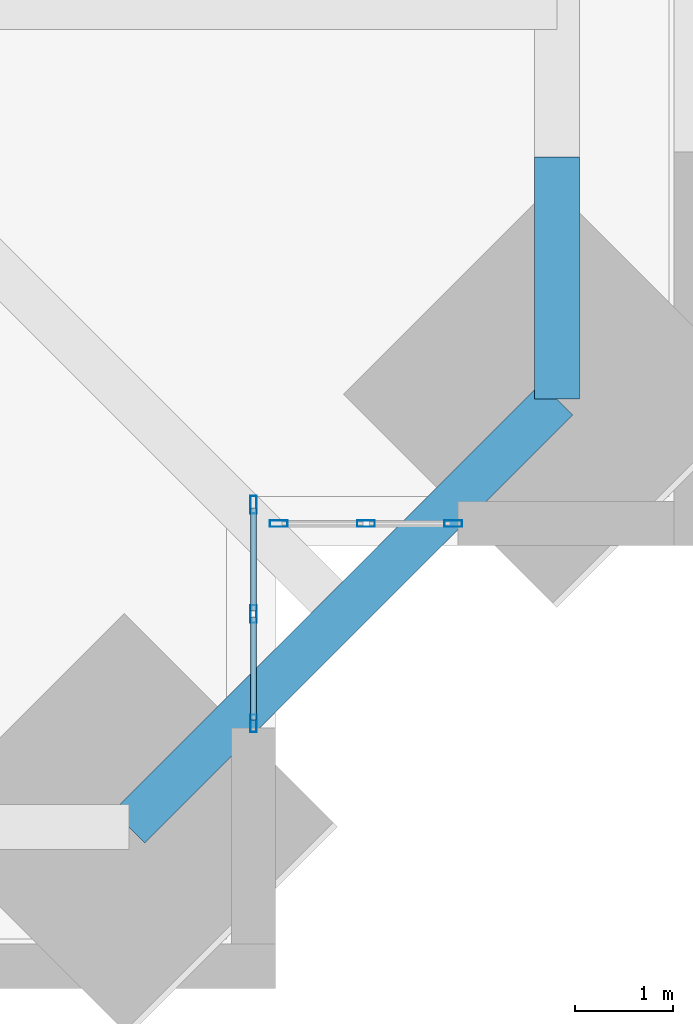
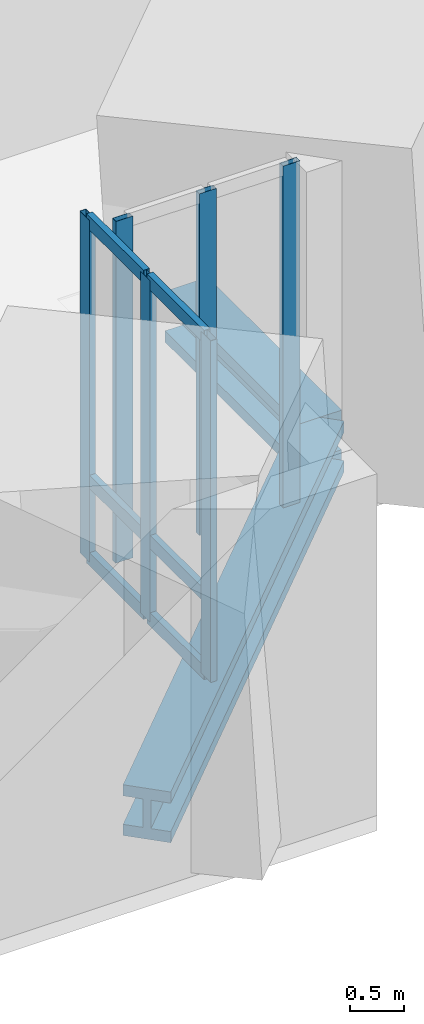
# One storey, part 4 of 15: 13 members, 1 beam, 2 elements without a shape of their own.
"""IFC4 building model written with IfcOpenShell, lengths in metres."""

from ifc_helpers import new_model, si_unit, direction, frame, origin, origin_2d, place, context, subcontext, project, spatial, hollow_rectangle, i_section, extrude, material, material_profile, profile_set, type_object, element, aggregate, save


model = new_model("IFC4")

# Units and contexts
model_context = context("Model", 3, precision=1e-05, world=origin(), true_north=direction((0.0, 1.0)))
body_context = subcontext(model_context, "Body", "Model", "MODEL_VIEW")
ifc_project = project(units=[si_unit("LENGTHUNIT", "METRE"), si_unit("AREAUNIT", "SQUARE_METRE"), si_unit("VOLUMEUNIT", "CUBIC_METRE"), si_unit("PLANEANGLEUNIT", "RADIAN"), si_unit("MASSUNIT", "GRAM", prefix="KILO")], contexts=[model_context])

# Site, building, storey
site_placement = place(None, origin())
site = spatial("IfcSite", under=ifc_project, at=site_placement, CompositionType="ELEMENT")
building_placement = place(site_placement, origin())
building = spatial("IfcBuilding", under=site, at=building_placement, Name="Peilmerk Tower", CompositionType="ELEMENT")
storey_placement = place(building_placement, frame((0.0, 0.0, 201.800048828125)))
storey = spatial("IfcBuildingStorey", under=building, at=storey_placement, Name="L43", CompositionType="ELEMENT", Elevation=201.800048828125)

# Beam
ifc_material_1 = material(Name="Steel S460", Category="steel")
ifc_material_profile_1 = material_profile(ifc_material_1, i_section(OverallWidth=0.4541015625, OverallDepth=0.569091796875, WebThickness=0.077880859375, FlangeThickness=0.125, at=origin_2d()), Name="HD 400x1086")
ifc_profile_set_1 = profile_set([ifc_material_profile_1], Name="Steel S460")
beam_type = type_object("IfcBeamType", Name="B17 HD 400x1086 edge beam", PredefinedType="SPANDREL", material=ifc_profile_set_1)
beam_placement = place(storey_placement, frame((22.759765625, -18.40966796875, -0.45458984375), z_axis=(-0.707106781187, -0.707106781187, 0.0), x_axis=(0.707106781187, -0.707106781187, 0.0)))
element("IfcBeam", 1, at=beam_placement, inside=storey, type_object=beam_type, Name="Notch beam L43", PredefinedType="SPANDREL", context=body_context, shape_type="SweptSolid", body=[
    extrude(i_section(OverallWidth=0.4541015625, OverallDepth=0.569091796875, WebThickness=0.077880859375, FlangeThickness=0.125, at=origin_2d()), origin(), (0.0, 0.0, 1.0), 6.15185546875),
])

# Curtain wall, members
ifc_material_2 = material(Name="Aluminium stick curtain wall", Category="aluminium")
curtain_wall_type = type_object("IfcCurtainWallType", Name="CW4 stick curtain wall, 2250 module", PredefinedType="NOTDEFINED", material=ifc_material_2)
curtain_wall_1_placement = place(storey_placement, origin())
curtain_wall_1 = element("IfcCurtainWall", 2, at=curtain_wall_1_placement, inside=storey, type_object=curtain_wall_type, Name="Curtain wall CW4 SEA L43", PredefinedType="NOTDEFINED")
ifc_material_3 = material(Name="Aluminium EN AW-6063 T6", Category="aluminium")
ifc_material_profile_2 = material_profile(ifc_material_3, hollow_rectangle(XDim=0.06494140625, YDim=0.179931640625, WallThickness=0.0029296875, at=origin_2d()), Name="AL 180x65x3")
ifc_profile_set_2 = profile_set([ifc_material_profile_2], Name="Aluminium EN AW-6063 T6")
member_type_1 = type_object("IfcMemberType", Name="CW4-M AL 180x65x3 mullion", PredefinedType="MULLION", material=ifc_profile_set_2)
member_1_placement = place(storey_placement, frame((19.675048828125, -19.482421875, 0.0), z_axis=(0.0, 0.0, 1.0), x_axis=(1.0, 0.0, 0.0)))
member_1 = element("IfcMember", 3, at=member_1_placement, type_object=member_type_1, Name="CW4 mullion 1", PredefinedType="MULLION", context=body_context, shape_type="SweptSolid", body=[
    extrude(hollow_rectangle(XDim=0.06494140625, YDim=0.179931640625, WallThickness=0.0029296875, at=origin_2d()), origin(), (0.0, 0.0, 1.0), 3.829833984375),
])
member_2_placement = place(storey_placement, frame((19.675048828125, -20.59423828125, 0.0), z_axis=(0.0, 0.0, 1.0), x_axis=(1.0, 0.0, 0.0)))
member_2 = element("IfcMember", 4, at=member_2_placement, type_object=member_type_1, Name="CW4 mullion 2", PredefinedType="MULLION", context=body_context, shape_type="SweptSolid", body=[
    extrude(hollow_rectangle(XDim=0.06494140625, YDim=0.179931640625, WallThickness=0.0029296875, at=origin_2d()), origin(), (0.0, 0.0, 1.0), 3.829833984375),
])
member_3_placement = place(storey_placement, frame((19.675048828125, -21.706298828125, 0.0), z_axis=(0.0, 0.0, 1.0), x_axis=(1.0, 0.0, 0.0)))
member_3 = element("IfcMember", 5, at=member_3_placement, type_object=member_type_1, Name="CW4 mullion 3", PredefinedType="MULLION", context=body_context, shape_type="SweptSolid", body=[
    extrude(hollow_rectangle(XDim=0.06494140625, YDim=0.179931640625, WallThickness=0.0029296875, at=origin_2d()), origin(), (0.0, 0.0, 1.0), 3.829833984375),
])

curtain_wall_2_placement = place(storey_placement, origin())
curtain_wall_2 = element("IfcCurtainWall", 6, at=curtain_wall_2_placement, inside=storey, type_object=curtain_wall_type, Name="Curtain wall CW4 SEB L43", PredefinedType="NOTDEFINED")
member_4_placement = place(storey_placement, frame((19.9326171875, -19.675048828125, 0.0), z_axis=(0.0, 0.0, 1.0), x_axis=(0.0, 1.0, 0.0)))
member_4 = element("IfcMember", 7, at=member_4_placement, type_object=member_type_1, Name="CW4 mullion 1", PredefinedType="MULLION", context=body_context, shape_type="SweptSolid", body=[
    extrude(hollow_rectangle(XDim=0.06494140625, YDim=0.179931640625, WallThickness=0.0029296875, at=origin_2d()), origin(), (0.0, 0.0, 1.0), 3.829833984375),
])
member_5_placement = place(storey_placement, frame((20.8193359375, -19.675048828125, 0.0), z_axis=(0.0, 0.0, 1.0), x_axis=(0.0, 1.0, 0.0)))
member_5 = element("IfcMember", 8, at=member_5_placement, type_object=member_type_1, Name="CW4 mullion 2", PredefinedType="MULLION", context=body_context, shape_type="SweptSolid", body=[
    extrude(hollow_rectangle(XDim=0.06494140625, YDim=0.179931640625, WallThickness=0.0029296875, at=origin_2d()), origin(), (0.0, 0.0, 1.0), 3.829833984375),
])
member_6_placement = place(storey_placement, frame((21.706298828125, -19.675048828125, 0.0), z_axis=(0.0, 0.0, 1.0), x_axis=(0.0, 1.0, 0.0)))
member_6 = element("IfcMember", 9, at=member_6_placement, type_object=member_type_1, Name="CW4 mullion 3", PredefinedType="MULLION", context=body_context, shape_type="SweptSolid", body=[
    extrude(hollow_rectangle(XDim=0.06494140625, YDim=0.179931640625, WallThickness=0.0029296875, at=origin_2d()), origin(), (0.0, 0.0, 1.0), 3.829833984375),
])
aggregate(curtain_wall_2, [member_4, member_5, member_6])

# Member
ifc_material_profile_3 = material_profile(ifc_material_3, hollow_rectangle(XDim=0.06494140625, YDim=0.14990234375, WallThickness=0.0029296875, at=origin_2d()), Name="AL 150x65x3")
ifc_profile_set_3 = profile_set([ifc_material_profile_3], Name="Aluminium EN AW-6063 T6")
member_type_2 = type_object("IfcMemberType", Name="CW4-T AL 150x65x3 transom", PredefinedType="USERDEFINED", material=ifc_profile_set_3)
member_7_placement = place(storey_placement, frame((19.675048828125, -19.514892578125, 0.032470703125), z_axis=(0.0, -1.0, 0.0), x_axis=(1.0, 0.0, 0.0)))
member_7 = element("IfcMember", 10, at=member_7_placement, type_object=member_type_2, Name="CW4 transom 1.1", ObjectType="TRANSOM", PredefinedType="USERDEFINED", context=body_context, shape_type="SweptSolid", body=[
    extrude(hollow_rectangle(XDim=0.06494140625, YDim=0.14990234375, WallThickness=0.0029296875, at=origin_2d()), origin(), (0.0, 0.0, 1.0), 1.046875),
])

member_8_placement = place(storey_placement, frame((19.675048828125, -19.514892578125, 0.89990234375), z_axis=(0.0, -1.0, 0.0), x_axis=(1.0, 0.0, 0.0)))
member_8 = element("IfcMember", 11, at=member_8_placement, type_object=member_type_2, Name="CW4 transom 1.2", ObjectType="TRANSOM", PredefinedType="USERDEFINED", context=body_context, shape_type="SweptSolid", body=[
    extrude(hollow_rectangle(XDim=0.06494140625, YDim=0.14990234375, WallThickness=0.0029296875, at=origin_2d()), origin(), (0.0, 0.0, 1.0), 1.046875),
])

member_9_placement = place(storey_placement, frame((19.675048828125, -19.514892578125, 3.79736328125), z_axis=(0.0, -1.0, 0.0), x_axis=(1.0, 0.0, 0.0)))
member_9 = element("IfcMember", 12, at=member_9_placement, type_object=member_type_2, Name="CW4 transom 1.3", ObjectType="TRANSOM", PredefinedType="USERDEFINED", context=body_context, shape_type="SweptSolid", body=[
    extrude(hollow_rectangle(XDim=0.06494140625, YDim=0.14990234375, WallThickness=0.0029296875, at=origin_2d()), origin(), (0.0, 0.0, 1.0), 1.046875),
])

member_10_placement = place(storey_placement, frame((19.675048828125, -20.626953125, 0.032470703125), z_axis=(0.0, -1.0, 0.0), x_axis=(1.0, 0.0, 0.0)))
member_10 = element("IfcMember", 13, at=member_10_placement, type_object=member_type_2, Name="CW4 transom 2.1", ObjectType="TRANSOM", PredefinedType="USERDEFINED", context=body_context, shape_type="SweptSolid", body=[
    extrude(hollow_rectangle(XDim=0.06494140625, YDim=0.14990234375, WallThickness=0.0029296875, at=origin_2d()), origin(), (0.0, 0.0, 1.0), 1.046630859375),
])

member_11_placement = place(storey_placement, frame((19.675048828125, -20.626953125, 0.89990234375), z_axis=(0.0, -1.0, 0.0), x_axis=(1.0, 0.0, 0.0)))
member_11 = element("IfcMember", 14, at=member_11_placement, type_object=member_type_2, Name="CW4 transom 2.2", ObjectType="TRANSOM", PredefinedType="USERDEFINED", context=body_context, shape_type="SweptSolid", body=[
    extrude(hollow_rectangle(XDim=0.06494140625, YDim=0.14990234375, WallThickness=0.0029296875, at=origin_2d()), origin(), (0.0, 0.0, 1.0), 1.046630859375),
])

member_12_placement = place(storey_placement, frame((19.675048828125, -20.626953125, 3.79736328125), z_axis=(0.0, -1.0, 0.0), x_axis=(1.0, 0.0, 0.0)))
member_12 = element("IfcMember", 15, at=member_12_placement, type_object=member_type_2, Name="CW4 transom 2.3", ObjectType="TRANSOM", PredefinedType="USERDEFINED", context=body_context, shape_type="SweptSolid", body=[
    extrude(hollow_rectangle(XDim=0.06494140625, YDim=0.14990234375, WallThickness=0.0029296875, at=origin_2d()), origin(), (0.0, 0.0, 1.0), 1.046630859375),
])

aggregate(curtain_wall_1, [member_1, member_2, member_3, member_7, member_8, member_9, member_10, member_11, member_12])

ifc_material_profile_4 = material_profile(ifc_material_1, i_section(OverallWidth=0.4541015625, OverallDepth=0.569091796875, WebThickness=0.077880859375, FlangeThickness=0.125, at=origin_2d()), Name="HD 400x1086")
ifc_profile_set_4 = profile_set([ifc_material_profile_4], Name="Steel S460")
member_type_3 = type_object("IfcMemberType", Name="M1 HD 400x1086 belt truss chord", PredefinedType="CHORD", material=ifc_profile_set_4)
member_13_placement = place(storey_placement, frame((22.759765625, -18.40966796875, -0.45458984375), z_axis=(0.0, 1.0, 0.0), x_axis=(-1.0, 0.0, 0.0)))
element("IfcMember", 16, at=member_13_placement, inside=storey, type_object=member_type_3, Name="Belt truss chord L43", PredefinedType="CHORD", context=body_context, shape_type="SweptSolid", body=[
    extrude(i_section(OverallWidth=0.4541015625, OverallDepth=0.569091796875, WebThickness=0.077880859375, FlangeThickness=0.125, at=origin_2d()), origin(), (0.0, 0.0, 1.0), 2.459716796875),
])

save(model, "model.ifc")
